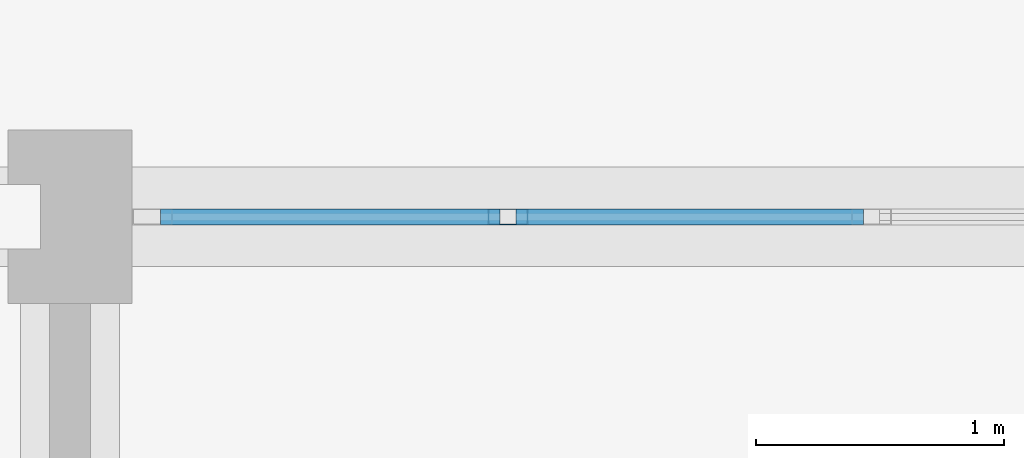
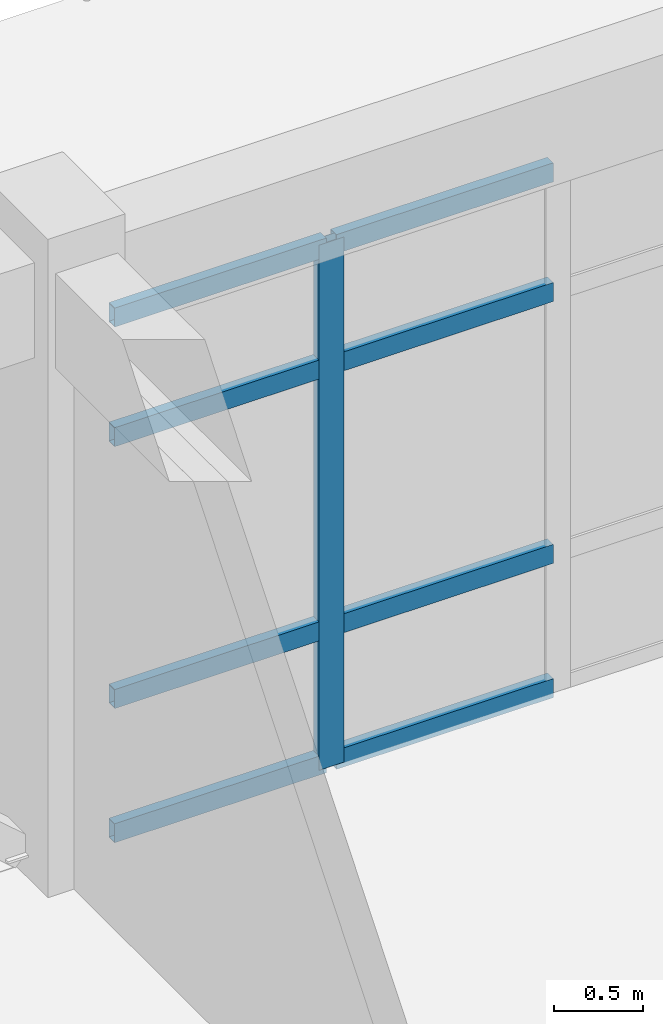
# One storey, part 40 of 154: 9 members, 1 element without a shape of its own.
"""IFC4 building model written with IfcOpenShell, lengths in metres."""

from ifc_helpers import new_model, si_unit, direction, frame, origin, origin_2d, place, context, subcontext, project, spatial, hollow_rectangle, extrude, material, material_profile, profile_set, type_object, element, aggregate, save


model = new_model("IFC4")

# Units and contexts
model_context = context("Model", 3, precision=1e-05, world=origin(), true_north=direction((0.0, 1.0)))
body_context = subcontext(model_context, "Body", "Model", "MODEL_VIEW")
ifc_project = project(units=[si_unit("LENGTHUNIT", "METRE"), si_unit("AREAUNIT", "SQUARE_METRE"), si_unit("VOLUMEUNIT", "CUBIC_METRE"), si_unit("PLANEANGLEUNIT", "RADIAN"), si_unit("MASSUNIT", "GRAM", prefix="KILO")], contexts=[model_context])

# Site, building, storey
site_placement = place(None, origin())
site = spatial("IfcSite", under=ifc_project, at=site_placement, CompositionType="ELEMENT")
building_placement = place(site_placement, origin())
building = spatial("IfcBuilding", under=site, at=building_placement, Name="Kestramere Prow Commons", CompositionType="ELEMENT")
storey_placement = place(building_placement, origin())
storey = spatial("IfcBuildingStorey", under=building, at=storey_placement, Name="L00", CompositionType="ELEMENT", Elevation=0.0)

# Curtain wall, members
ifc_material_1 = material(Name="Anodised Aluminium and Low-E Glass", Category="aluminium")
curtain_wall_type = type_object("IfcCurtainWallType", Name="CW-22 Glazed Curtain Wall 8800x3590", PredefinedType="USERDEFINED", material=ifc_material_1)
curtain_wall_placement = place(storey_placement, origin())
curtain_wall = element("IfcCurtainWall", 1, at=curtain_wall_placement, inside=storey, type_object=curtain_wall_type, Name="Market L00 Courtyard Shopfront 5", ObjectType="GLAZED CURTAIN WALL", PredefinedType="USERDEFINED")
ifc_material_2 = material(Name="Anodised Aluminium 6063-T6", Category="aluminium")
ifc_material_profile_1 = material_profile(ifc_material_2, hollow_rectangle(XDim=0.06494140625, YDim=0.159912109375, WallThickness=0.00390625, at=origin_2d()), Name="ALU-MUL 65x160")
ifc_profile_set_1 = profile_set([ifc_material_profile_1], Name="Anodised Aluminium 6063-T6")
member_type_1 = type_object("IfcMemberType", Name="CW-MUL-65x160", PredefinedType="MULLION", material=ifc_profile_set_1)
member_1_placement = place(storey_placement, frame((95.966552734375, 24.0, 0.0), z_axis=(0.0, 0.0, 1.0), x_axis=(0.0, 1.0, 0.0)))
member_1 = element("IfcMember", 2, at=member_1_placement, type_object=member_type_1, Name="CW-22 mullion 2", PredefinedType="MULLION", context=body_context, shape_type="SweptSolid", body=[
    extrude(hollow_rectangle(XDim=0.06494140625, YDim=0.159912109375, WallThickness=0.00390625, at=origin_2d()), origin(), (0.0, 0.0, 1.0), 3.590087890625),
])
ifc_material_profile_2 = material_profile(ifc_material_2, hollow_rectangle(XDim=0.06494140625, YDim=0.1298828125, WallThickness=0.00390625, at=origin_2d()), Name="ALU-TRN 65x130")
ifc_profile_set_2 = profile_set([ifc_material_profile_2], Name="Anodised Aluminium 6063-T6")
member_type_2 = type_object("IfcMemberType", Name="CW-TRN-65x130", PredefinedType="USERDEFINED", material=ifc_profile_set_2)
member_2_placement = place(storey_placement, frame((94.56494140625, 24.0, 0.032470703125), z_axis=(1.0, 0.0, 0.0), x_axis=(0.0, 1.0, 0.0)))
member_2 = element("IfcMember", 3, at=member_2_placement, type_object=member_type_2, Name="CW-22 transom 1.1", ObjectType="TRANSOM", PredefinedType="USERDEFINED", context=body_context, shape_type="SweptSolid", body=[
    extrude(hollow_rectangle(XDim=0.06494140625, YDim=0.1298828125, WallThickness=0.00390625, at=origin_2d()), origin(), (0.0, 0.0, 1.0), 1.369140625),
])
member_3_placement = place(storey_placement, frame((94.56494140625, 24.0, 0.949951171875), z_axis=(1.0, 0.0, 0.0), x_axis=(0.0, 1.0, 0.0)))
member_3 = element("IfcMember", 4, at=member_3_placement, type_object=member_type_2, Name="CW-22 transom 1.2", ObjectType="TRANSOM", PredefinedType="USERDEFINED", context=body_context, shape_type="SweptSolid", body=[
    extrude(hollow_rectangle(XDim=0.06494140625, YDim=0.1298828125, WallThickness=0.00390625, at=origin_2d()), origin(), (0.0, 0.0, 1.0), 1.369140625),
])
member_4_placement = place(storey_placement, frame((94.56494140625, 24.0, 2.739990234375), z_axis=(1.0, 0.0, 0.0), x_axis=(0.0, 1.0, 0.0)))
member_4 = element("IfcMember", 5, at=member_4_placement, type_object=member_type_2, Name="CW-22 transom 1.3", ObjectType="TRANSOM", PredefinedType="USERDEFINED", context=body_context, shape_type="SweptSolid", body=[
    extrude(hollow_rectangle(XDim=0.06494140625, YDim=0.1298828125, WallThickness=0.00390625, at=origin_2d()), origin(), (0.0, 0.0, 1.0), 1.369140625),
])
member_5_placement = place(storey_placement, frame((94.56494140625, 24.0, 3.5576171875), z_axis=(1.0, 0.0, 0.0), x_axis=(0.0, 1.0, 0.0)))
member_5 = element("IfcMember", 6, at=member_5_placement, type_object=member_type_2, Name="CW-22 transom 1.4", ObjectType="TRANSOM", PredefinedType="USERDEFINED", context=body_context, shape_type="SweptSolid", body=[
    extrude(hollow_rectangle(XDim=0.06494140625, YDim=0.1298828125, WallThickness=0.00390625, at=origin_2d()), origin(), (0.0, 0.0, 1.0), 1.369140625),
])
member_6_placement = place(storey_placement, frame((95.999267578125, 24.0, 0.032470703125), z_axis=(1.0, 0.0, 0.0), x_axis=(0.0, 1.0, 0.0)))
member_6 = element("IfcMember", 7, at=member_6_placement, type_object=member_type_2, Name="CW-22 transom 2.1", ObjectType="TRANSOM", PredefinedType="USERDEFINED", context=body_context, shape_type="SweptSolid", body=[
    extrude(hollow_rectangle(XDim=0.06494140625, YDim=0.1298828125, WallThickness=0.00390625, at=origin_2d()), origin(), (0.0, 0.0, 1.0), 1.401611328125),
])
member_7_placement = place(storey_placement, frame((95.999267578125, 24.0, 0.949951171875), z_axis=(1.0, 0.0, 0.0), x_axis=(0.0, 1.0, 0.0)))
member_7 = element("IfcMember", 8, at=member_7_placement, type_object=member_type_2, Name="CW-22 transom 2.2", ObjectType="TRANSOM", PredefinedType="USERDEFINED", context=body_context, shape_type="SweptSolid", body=[
    extrude(hollow_rectangle(XDim=0.06494140625, YDim=0.1298828125, WallThickness=0.00390625, at=origin_2d()), origin(), (0.0, 0.0, 1.0), 1.401611328125),
])
member_8_placement = place(storey_placement, frame((95.999267578125, 24.0, 2.739990234375), z_axis=(1.0, 0.0, 0.0), x_axis=(0.0, 1.0, 0.0)))
member_8 = element("IfcMember", 9, at=member_8_placement, type_object=member_type_2, Name="CW-22 transom 2.3", ObjectType="TRANSOM", PredefinedType="USERDEFINED", context=body_context, shape_type="SweptSolid", body=[
    extrude(hollow_rectangle(XDim=0.06494140625, YDim=0.1298828125, WallThickness=0.00390625, at=origin_2d()), origin(), (0.0, 0.0, 1.0), 1.401611328125),
])
member_9_placement = place(storey_placement, frame((95.999267578125, 24.0, 3.5576171875), z_axis=(1.0, 0.0, 0.0), x_axis=(0.0, 1.0, 0.0)))
member_9 = element("IfcMember", 10, at=member_9_placement, type_object=member_type_2, Name="CW-22 transom 2.4", ObjectType="TRANSOM", PredefinedType="USERDEFINED", context=body_context, shape_type="SweptSolid", body=[
    extrude(hollow_rectangle(XDim=0.06494140625, YDim=0.1298828125, WallThickness=0.00390625, at=origin_2d()), origin(), (0.0, 0.0, 1.0), 1.401611328125),
])
aggregate(curtain_wall, [member_1, member_2, member_3, member_4, member_5, member_6, member_7, member_8, member_9])

save(model, "model.ifc")
